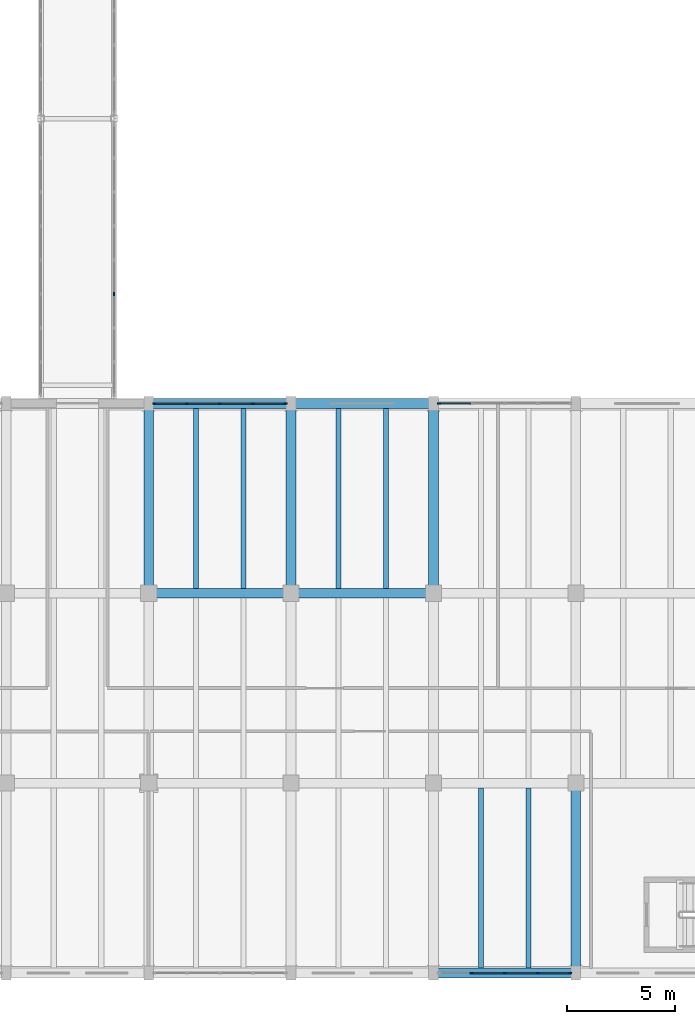
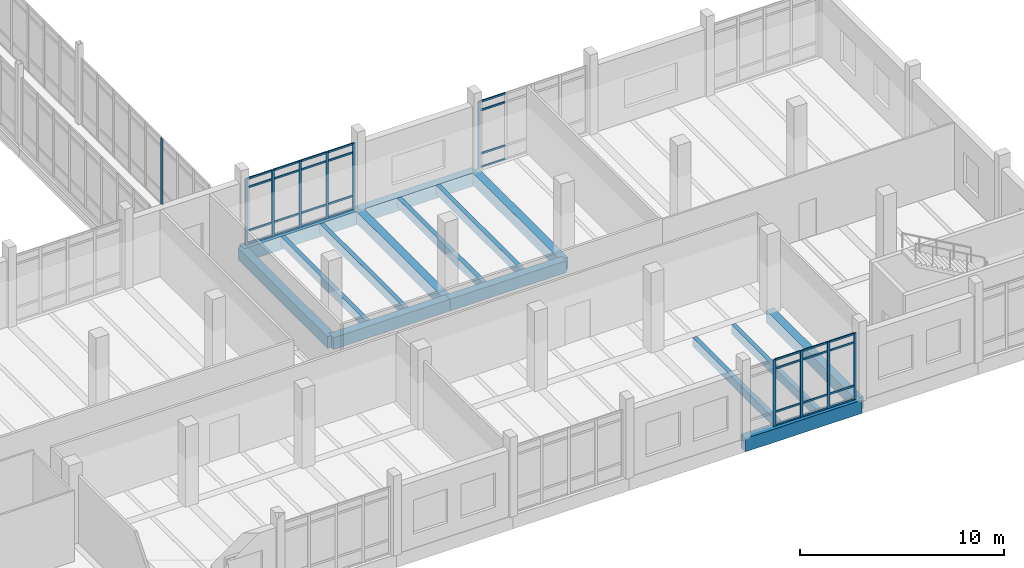
# One storey, part 49 of 125: 43 members, 15 beams, 4 elements without a shape of their own.
"""IFC4 building model written with IfcOpenShell, lengths in metres."""

import ifcopenshell
import ifcopenshell.guid

model = None  # the IFC model being written
_history = None  # IfcOwnerHistory: only IFC2X3 demands one
_inside = {}  # id of a spatial element -> (the spatial element, [elements in it])
_under = {}  # id of a project, library or spatial element -> (it, [spatial elements below it])
_declared = {}  # id of a project -> (the project, [libraries it declares])
_typed = {}  # id of a type object -> (the type object, [elements of that type])
_made_of = {}  # id of a material, layer set ... -> (it, [elements and type objects made of it])


def new_model(schema):
    """Start an empty IFC model of exactly this schema.

    Asked for "IFC4X3", IfcOpenShell would pick the latest addendum, in which some entities
    have other attributes; the version numbers below select the first issue.
    IFC2X3 requires an IfcOwnerHistory on every rooted entity: one is made here for all.
    """
    global model, _history
    if schema == "IFC4X3":
        model = ifcopenshell.file(schema_version=(4, 3, 0, 0))
    else:
        model = ifcopenshell.file(schema=schema)
    _inside.clear()
    _under.clear()
    _declared.clear()
    _typed.clear()
    _made_of.clear()
    _history = None
    if model.schema == "IFC2X3":
        org = make("IfcOrganization", Name="unknown")
        user = make(
            "IfcPersonAndOrganization",
            ThePerson=make("IfcPerson", FamilyName="unknown"),
            TheOrganization=org,
        )
        app = make(
            "IfcApplication",
            ApplicationDeveloper=org,
            Version="unknown",
            ApplicationFullName="unknown",
            ApplicationIdentifier="unknown",
        )
        _history = make(
            "IfcOwnerHistory",
            OwningUser=user,
            OwningApplication=app,
            ChangeAction="ADDED",
            CreationDate=0,
        )
    return model


def make(cls, **values):
    """One entity of the class cls with the attributes given. An attribute that is None is left unset."""
    return model.create_entity(
        cls, **{name: value for name, value in values.items() if value is not None}
    )


def rooted(cls, **values):
    """An entity with a GlobalId (a new one), such as an element, a storey or a relation."""
    return make(cls, GlobalId=ifcopenshell.guid.new(), OwnerHistory=_history, **values)


def si_unit(unit_type, name, prefix=None):
    """IfcSIUnit, for example si_unit("LENGTHUNIT", "METRE", prefix="MILLI")."""
    return make("IfcSIUnit", UnitType=unit_type, Prefix=prefix, Name=name)


def assignment(units):
    """IfcUnitAssignment: the units of a project."""
    return None if units is None else make("IfcUnitAssignment", Units=units)


def point(xyz):
    """IfcCartesianPoint."""
    return None if xyz is None else make("IfcCartesianPoint", Coordinates=xyz)


def direction(xyz):
    """IfcDirection."""
    return None if xyz is None else make("IfcDirection", DirectionRatios=xyz)


def frame(location, z_axis=None, x_axis=None):
    """IfcAxis2Placement3D, a coordinate frame: its origin and axes. An axis left out is left unset."""
    return make(
        "IfcAxis2Placement3D",
        Location=point(location),
        Axis=direction(z_axis),
        RefDirection=direction(x_axis),
    )


def frame_2d(location, x_axis=None):
    """IfcAxis2Placement2D, a coordinate frame in the plane: its origin and x axis."""
    return make(
        "IfcAxis2Placement2D", Location=point(location), RefDirection=direction(x_axis)
    )


def origin():
    """The frame at (0, 0, 0) with its axes left unset."""
    return frame((0.0, 0.0, 0.0))


def origin_2d():
    """The frame at (0, 0) in the plane with its x axis left unset."""
    return frame_2d((0.0, 0.0))


def place(relative_to, where):
    """IfcLocalPlacement: puts the frame where relative to a parent placement (None: the world)."""
    return make(
        "IfcLocalPlacement", PlacementRelTo=relative_to, RelativePlacement=where
    )


def context(
    kind, dimensions, precision=None, world=None, true_north=None, identifier=None
):
    """IfcGeometricRepresentationContext, for example the 3D "Model" context."""
    return make(
        "IfcGeometricRepresentationContext",
        ContextIdentifier=identifier,
        ContextType=kind,
        CoordinateSpaceDimension=dimensions,
        Precision=precision,
        WorldCoordinateSystem=world,
        TrueNorth=true_north,
    )


def subcontext(parent, identifier, kind, view, scale=None):
    """IfcGeometricRepresentationSubContext, for example "Body" below "Model"."""
    return make(
        "IfcGeometricRepresentationSubContext",
        ContextIdentifier=identifier,
        ContextType=kind,
        ParentContext=parent,
        TargetScale=scale,
        TargetView=view,
    )


def project(units=None, contexts=None):
    """IfcProject with its units and contexts."""
    return rooted(
        "IfcProject",
        Name="project",
        RepresentationContexts=contexts,
        UnitsInContext=assignment(units),
    )


def spatial(cls, under=None, at=None, **own):
    """A site, building, storey or space (cls), placed at a placement, below another one or the project."""
    s = rooted(cls, ObjectPlacement=at, **own)
    if under is not None:
        _under.setdefault(under.id(), (under, []))[1].append(s)
    return s


def profile(cls, at=None, kind="AREA", **sizes):
    """A parametric profile (cls). Its sizes go by their IFC names, for example OverallWidth=200.0."""
    return make(cls, ProfileType=kind, Position=at, **sizes)


def rectangle(**sizes):
    """IfcRectangleProfileDef."""
    return profile("IfcRectangleProfileDef", **sizes)


def extrude(swept, where, along, depth):
    """IfcExtrudedAreaSolid: the profile swept, set in the frame where, extruded along a direction by depth."""
    return make(
        "IfcExtrudedAreaSolid",
        SweptArea=swept,
        Position=where,
        ExtrudedDirection=direction(along),
        Depth=depth,
    )


def shape(context_of_items, identifier, shape_type, items):
    """IfcShapeRepresentation: the items that make up one representation, for example the "Body"."""
    return make(
        "IfcShapeRepresentation",
        ContextOfItems=context_of_items,
        RepresentationIdentifier=identifier,
        RepresentationType=shape_type,
        Items=items,
    )


def material(Name=None, Category=None):
    """IfcMaterial."""
    return make("IfcMaterial", Name=Name, Category=Category)


def material_profile(
    of_material, cross_section, Name=None, Category=None, Priority=None
):
    """IfcMaterialProfile: a cross section and its material."""
    return make(
        "IfcMaterialProfile",
        Name=Name,
        Material=of_material,
        Profile=cross_section,
        Priority=Priority,
        Category=Category,
    )


def profile_set(profiles, Name=None, composite=None):
    """IfcMaterialProfileSet."""
    return make(
        "IfcMaterialProfileSet",
        Name=Name,
        MaterialProfiles=profiles,
        CompositeProfile=composite,
    )


def made_of(thing, what):
    """Note that an element or type object is made of a material, layer set ...; save() writes the relation."""
    if what is not None:
        _made_of.setdefault(what.id(), (what, []))[1].append(thing)
    return thing


def type_object(cls, material=None, **own):
    """A type object (cls), such as IfcWallType, which elements share."""
    return made_of(rooted(cls, **own), material)


def element(
    cls,
    number,
    at=None,
    inside=None,
    cuts=None,
    type_object=None,
    material=None,
    context=None,
    identifier="Body",
    shape_type=None,
    held_by="IfcProductDefinitionShape",
    body=None,
    shapes=None,
    **own,
):
    """One element of the class cls, such as IfcWall. Its Tag is "e" and its number.

    at: its placement. inside: the storey or other place that contains it. cuts: it is an
    opening in that element (IfcRelVoidsElement). A single representation is given by context,
    identifier, shape_type and body (its items); several are given by shapes. held_by: the class
    of the entity that holds the representations. save() writes the other relations.
    """
    e = rooted(cls, Tag="e%d" % number, ObjectPlacement=at, **own)
    if body is not None:
        shapes = [shape(context, identifier, shape_type, body)]
    if shapes is not None:
        e.Representation = make(held_by, Representations=shapes)
    if inside is not None:
        _inside.setdefault(inside.id(), (inside, []))[1].append(e)
    if cuts is not None:
        rooted(
            "IfcRelVoidsElement", RelatingBuildingElement=cuts, RelatedOpeningElement=e
        )
    if type_object is not None:
        _typed.setdefault(type_object.id(), (type_object, []))[1].append(e)
    return made_of(e, material)


def aggregate(whole, parts):
    """IfcRelAggregates: a whole, such as a stair, and the parts it consists of."""
    return rooted("IfcRelAggregates", RelatingObject=whole, RelatedObjects=parts)


def save(model, path):
    """Write the relations noted so far, then the file.

    IfcRelAggregates (storeys below a building ...), IfcRelContainedInSpatialStructure (elements
    in a storey), IfcRelDefinesByType, IfcRelAssociatesMaterial and IfcRelDeclares: one each for
    every whole, place, type object, material and project.
    """
    for whole, parts in _under.values():
        aggregate(whole, parts)
    for where, things in _inside.values():
        rooted(
            "IfcRelContainedInSpatialStructure",
            RelatedElements=things,
            RelatingStructure=where,
        )
    for kind, things in _typed.values():
        rooted("IfcRelDefinesByType", RelatedObjects=things, RelatingType=kind)
    for what, things in _made_of.values():
        rooted("IfcRelAssociatesMaterial", RelatedObjects=things, RelatingMaterial=what)
    for by, libraries in _declared.values():
        rooted("IfcRelDeclares", RelatingContext=by, RelatedDefinitions=libraries)
    model.write(path)


model = new_model("IFC4")

# Units and contexts
model_context = context("Model", 3, precision=1e-05, world=origin(), true_north=direction((0.0, 1.0)))
body_context = subcontext(model_context, "Body", "Model", "MODEL_VIEW")
ifc_project = project(units=[si_unit("LENGTHUNIT", "METRE"), si_unit("AREAUNIT", "SQUARE_METRE"), si_unit("VOLUMEUNIT", "CUBIC_METRE"), si_unit("PLANEANGLEUNIT", "RADIAN"), si_unit("MASSUNIT", "GRAM", prefix="KILO")], contexts=[model_context])

# Site, building, storey
site_placement = place(None, origin())
site = spatial("IfcSite", under=ifc_project, at=site_placement, CompositionType="ELEMENT")
building_placement = place(site_placement, origin())
building = spatial("IfcBuilding", under=site, at=building_placement, Name="Dornvale Research Institute", CompositionType="ELEMENT")
storey_placement = place(building_placement, frame((0.0, 0.0, 5.39990234375)))
storey = spatial("IfcBuildingStorey", under=building, at=storey_placement, Name="L01", CompositionType="ELEMENT", Elevation=5.39990234375)

# Beams
ifc_material_1 = material(Name="Concrete f'c 45 MPa (C35/45)", Category="concrete")
ifc_material_profile_1 = material_profile(ifc_material_1, rectangle(XDim=0.449951171875, YDim=0.715087890625, at=origin_2d()), Name="RC 450x715")
ifc_profile_set_1 = profile_set([ifc_material_profile_1], Name="Concrete f'c 45 MPa (C35/45)")
beam_type_1 = type_object("IfcBeamType", Name="Beam_RC450x715_Lab", PredefinedType="BEAM", material=ifc_profile_set_1)
beam_1_placement = place(storey_placement, frame((145.199951171875, 17.60009765625, -0.357421875), z_axis=(1.0, 0.0, 0.0), x_axis=(0.0, 1.0, 0.0)))
element("IfcBeam", 1, at=beam_1_placement, inside=storey, type_object=beam_type_1, Name="L01 primary girder #448", PredefinedType="BEAM", context=body_context, shape_type="SweptSolid", body=[
    extrude(rectangle(XDim=0.449951171875, YDim=0.715087890625, at=origin_2d()), origin(), (0.0, 0.0, 1.0), 6.60009765625),
])
beam_2_placement = place(storey_placement, frame((151.800048828125, 17.60009765625, -0.357421875), z_axis=(1.0, 0.0, 0.0), x_axis=(0.0, 1.0, 0.0)))
element("IfcBeam", 2, at=beam_2_placement, inside=storey, type_object=beam_type_1, Name="L01 primary girder #449", PredefinedType="BEAM", context=body_context, shape_type="SweptSolid", body=[
    extrude(rectangle(XDim=0.449951171875, YDim=0.715087890625, at=origin_2d()), origin(), (0.0, 0.0, 1.0), 6.599853515625),
])
for number, where, z_axis, x_axis, name in (
    (3, (145.199951171875, 17.60009765625, -0.357421875), (0.0, 1.0, 0.0), (-1.0, 0.0, 0.0), "L01 transverse girder #487"),
    (4, (151.800048828125, 17.60009765625, -0.357421875), (0.0, 1.0, 0.0), (-1.0, 0.0, 0.0), "L01 transverse girder #490"),
    (5, (158.39990234375, 17.60009765625, -0.357421875), (0.0, 1.0, 0.0), (-1.0, 0.0, 0.0), "L01 transverse girder #493"),
):
    element("IfcBeam", number, at=place(storey_placement, frame(where, z_axis=z_axis, x_axis=x_axis)), inside=storey, type_object=beam_type_1, Name=name, PredefinedType="BEAM", context=body_context, shape_type="SweptSolid", body=[
        extrude(rectangle(XDim=0.449951171875, YDim=0.715087890625, at=origin_2d()), origin(), (0.0, 0.0, 1.0), 8.7998046875),
    ])
beam_3_placement = place(storey_placement, frame((165.0, 0.0, -0.357421875), z_axis=(0.0, 1.0, 0.0), x_axis=(-1.0, 0.0, 0.0)))
element("IfcBeam", 6, at=beam_3_placement, inside=storey, type_object=beam_type_1, Name="L01 transverse girder #494", PredefinedType="BEAM", context=body_context, shape_type="SweptSolid", body=[
    extrude(rectangle(XDim=0.449951171875, YDim=0.715087890625, at=origin_2d()), origin(), (0.0, 0.0, 1.0), 8.800048828125),
])
ifc_material_2 = material(Name="Concrete f'c 45 MPa (C35/45)", Category="concrete")
ifc_material_profile_2 = material_profile(ifc_material_2, rectangle(XDim=0.239990234375, YDim=0.534912109375, at=origin_2d()), Name="RC 240x535")
ifc_profile_set_2 = profile_set([ifc_material_profile_2], Name="Concrete f'c 45 MPa (C35/45)")
beam_type_2 = type_object("IfcBeamType", Name="Joist_RC240x535_Waffle", PredefinedType="JOIST", material=ifc_profile_set_2)
for number, where, z_axis, x_axis, name in (
    (7, (147.39990234375, 17.824951171875, -0.267333984375), (0.0, 1.0, 0.0), (-1.0, 0.0, 0.0), "L01 laboratory waffle joist #255"),
    (8, (149.60009765625, 17.824951171875, -0.267333984375), (0.0, 1.0, 0.0), (-1.0, 0.0, 0.0), "L01 laboratory waffle joist #256"),
    (9, (154.0, 17.824951171875, -0.267333984375), (0.0, 1.0, 0.0), (-1.0, 0.0, 0.0), "L01 laboratory waffle joist #261"),
    (10, (156.199951171875, 17.824951171875, -0.267333984375), (0.0, 1.0, 0.0), (-1.0, 0.0, 0.0), "L01 laboratory waffle joist #262"),
):
    element("IfcBeam", number, at=place(storey_placement, frame(where, z_axis=z_axis, x_axis=x_axis)), inside=storey, type_object=beam_type_2, Name=name, PredefinedType="JOIST", context=body_context, shape_type="SweptSolid", body=[
        extrude(rectangle(XDim=0.239990234375, YDim=0.534912109375, at=origin_2d()), origin(), (0.0, 0.0, 1.0), 8.35009765625),
    ])
for number, where, z_axis, x_axis, name in (
    (11, (160.60009765625, 0.22509765625, -0.267333984375), (0.0, 1.0, 0.0), (-1.0, 0.0, 0.0), "L01 laboratory waffle joist #263"),
    (12, (162.800048828125, 0.22509765625, -0.267333984375), (0.0, 1.0, 0.0), (-1.0, 0.0, 0.0), "L01 laboratory waffle joist #264"),
):
    element("IfcBeam", number, at=place(storey_placement, frame(where, z_axis=z_axis, x_axis=x_axis)), inside=storey, type_object=beam_type_2, Name=name, PredefinedType="JOIST", context=body_context, shape_type="SweptSolid", body=[
        extrude(rectangle(XDim=0.239990234375, YDim=0.534912109375, at=origin_2d()), origin(), (0.0, 0.0, 1.0), 8.349853515625),
    ])

# Curtain wall, member
ifc_material_3 = material(Name="Low-E Argon Double Insulating Glazing Unit", Category="glass")
curtain_wall_type_1 = type_object("IfcCurtainWallType", Name="UnitisedCurtainWall_V2_12600x4000", PredefinedType="USERDEFINED", material=ifc_material_3)
curtain_wall_1_placement = place(storey_placement, origin())
curtain_wall_1 = element("IfcCurtainWall", 13, at=curtain_wall_1_placement, inside=storey, type_object=curtain_wall_type_1, Name="L01 V2 unitised curtain wall CW-41 #232", ObjectType="UNITISED CURTAIN WALL", PredefinedType="USERDEFINED")
ifc_material_4 = material(Name="Anodized Aluminum AA 6063-T6 Thermally Broken Frame", Category="aluminium")
ifc_material_profile_3 = material_profile(ifc_material_4, rectangle(XDim=0.06494140625, YDim=0.1650390625, at=origin_2d()), Name="ALU MULLION 65x165")
ifc_profile_set_3 = profile_set([ifc_material_profile_3], Name="Anodized Aluminum AA 6063-T6 Thermally Broken Frame")
member_type_1 = type_object("IfcMemberType", Name="Mullion_Atrium_65x165", PredefinedType="MULLION", material=ifc_profile_set_3)
member_1_placement = place(storey_placement, frame((143.60009765625, 31.47509765625, 0.0), z_axis=(0.0, 0.0, 1.0), x_axis=(1.0, 0.0, 0.0)))
member_1 = element("IfcMember", 14, at=member_1_placement, type_object=member_type_1, Name="CW-41 mullion 6", PredefinedType="MULLION", context=body_context, shape_type="SweptSolid", body=[
    extrude(rectangle(XDim=0.06494140625, YDim=0.1650390625, at=origin_2d()), origin(), (0.0, 0.0, 1.0), 4.0),
])
aggregate(curtain_wall_1, [member_1])

# Curtain wall, members
ifc_material_5 = material(Name="Low-E Argon Double Insulating Glazing Unit", Category="glass")
curtain_wall_type_2 = type_object("IfcCurtainWallType", Name="UnitisedCurtainWall_V3_6150x4000", PredefinedType="USERDEFINED", material=ifc_material_5)
curtain_wall_2_placement = place(storey_placement, origin())
curtain_wall_2 = element("IfcCurtainWall", 15, at=curtain_wall_2_placement, inside=storey, type_object=curtain_wall_type_2, Name="L01 V3 unitised curtain wall CW-06 #33", ObjectType="UNITISED CURTAIN WALL", PredefinedType="USERDEFINED")
ifc_material_6 = material(Name="Anodized Aluminum AA 6063-T6 Thermally Broken Frame", Category="aluminium")
ifc_material_profile_4 = material_profile(ifc_material_6, rectangle(XDim=0.06494140625, YDim=0.14990234375, at=origin_2d()), Name="ALU MULLION 65x150")
ifc_profile_set_4 = profile_set([ifc_material_profile_4], Name="Anodized Aluminum AA 6063-T6 Thermally Broken Frame")
member_type_2 = type_object("IfcMemberType", Name="Mullion_CW_65x150", PredefinedType="MULLION", material=ifc_profile_set_4)
member_2_placement = place(storey_placement, frame((145.45751953125, 26.39990234375, 0.0), z_axis=(0.0, 0.0, 1.0), x_axis=(0.0, 1.0, 0.0)))
member_2 = element("IfcMember", 16, at=member_2_placement, type_object=member_type_2, Name="CW-06 mullion 1", PredefinedType="MULLION", context=body_context, shape_type="SweptSolid", body=[
    extrude(rectangle(XDim=0.06494140625, YDim=0.14990234375, at=origin_2d()), origin(), (0.0, 0.0, 1.0), 4.0),
])
member_3_placement = place(storey_placement, frame((146.96240234375, 26.39990234375, 0.0), z_axis=(0.0, 0.0, 1.0), x_axis=(0.0, 1.0, 0.0)))
member_3 = element("IfcMember", 17, at=member_3_placement, type_object=member_type_2, Name="CW-06 mullion 2", PredefinedType="MULLION", context=body_context, shape_type="SweptSolid", body=[
    extrude(rectangle(XDim=0.06494140625, YDim=0.14990234375, at=origin_2d()), origin(), (0.0, 0.0, 1.0), 4.0),
])
member_4_placement = place(storey_placement, frame((148.5, 26.39990234375, 0.0), z_axis=(0.0, 0.0, 1.0), x_axis=(0.0, 1.0, 0.0)))
member_4 = element("IfcMember", 18, at=member_4_placement, type_object=member_type_2, Name="CW-06 mullion 3", PredefinedType="MULLION", context=body_context, shape_type="SweptSolid", body=[
    extrude(rectangle(XDim=0.06494140625, YDim=0.14990234375, at=origin_2d()), origin(), (0.0, 0.0, 1.0), 4.0),
])
member_5_placement = place(storey_placement, frame((150.03759765625, 26.39990234375, 0.0), z_axis=(0.0, 0.0, 1.0), x_axis=(0.0, 1.0, 0.0)))
member_5 = element("IfcMember", 19, at=member_5_placement, type_object=member_type_2, Name="CW-06 mullion 4", PredefinedType="MULLION", context=body_context, shape_type="SweptSolid", body=[
    extrude(rectangle(XDim=0.06494140625, YDim=0.14990234375, at=origin_2d()), origin(), (0.0, 0.0, 1.0), 4.0),
])
member_6_placement = place(storey_placement, frame((151.54248046875, 26.39990234375, 0.0), z_axis=(0.0, 0.0, 1.0), x_axis=(0.0, 1.0, 0.0)))
member_6 = element("IfcMember", 20, at=member_6_placement, type_object=member_type_2, Name="CW-06 mullion 5", PredefinedType="MULLION", context=body_context, shape_type="SweptSolid", body=[
    extrude(rectangle(XDim=0.06494140625, YDim=0.14990234375, at=origin_2d()), origin(), (0.0, 0.0, 1.0), 4.0),
])

# Curtain wall, member
curtain_wall_3_placement = place(storey_placement, origin())
curtain_wall_3 = element("IfcCurtainWall", 21, at=curtain_wall_3_placement, inside=storey, type_object=curtain_wall_type_2, Name="L01 V3 unitised curtain wall CW-06 #34", ObjectType="UNITISED CURTAIN WALL", PredefinedType="USERDEFINED")
member_7_placement = place(storey_placement, frame((158.657470703125, 26.39990234375, 0.0), z_axis=(0.0, 0.0, 1.0), x_axis=(0.0, 1.0, 0.0)))
member_7 = element("IfcMember", 22, at=member_7_placement, type_object=member_type_2, Name="CW-06 mullion 1", PredefinedType="MULLION", context=body_context, shape_type="SweptSolid", body=[
    extrude(rectangle(XDim=0.06494140625, YDim=0.14990234375, at=origin_2d()), origin(), (0.0, 0.0, 1.0), 4.0),
])

# Curtain wall, members
curtain_wall_4_placement = place(storey_placement, origin())
curtain_wall_4 = element("IfcCurtainWall", 23, at=curtain_wall_4_placement, inside=storey, type_object=curtain_wall_type_2, Name="L01 V3 unitised curtain wall CW-06 #37", ObjectType="UNITISED CURTAIN WALL", PredefinedType="USERDEFINED")
member_8_placement = place(storey_placement, frame((164.742431640625, 0.0, 0.0), z_axis=(0.0, 0.0, 1.0), x_axis=(0.0, -1.0, 0.0)))
member_8 = element("IfcMember", 24, at=member_8_placement, type_object=member_type_2, Name="CW-06 mullion 1", PredefinedType="MULLION", context=body_context, shape_type="SweptSolid", body=[
    extrude(rectangle(XDim=0.06494140625, YDim=0.14990234375, at=origin_2d()), origin(), (0.0, 0.0, 1.0), 4.0),
])
member_9_placement = place(storey_placement, frame((163.237548828125, 0.0, 0.0), z_axis=(0.0, 0.0, 1.0), x_axis=(0.0, -1.0, 0.0)))
member_9 = element("IfcMember", 25, at=member_9_placement, type_object=member_type_2, Name="CW-06 mullion 2", PredefinedType="MULLION", context=body_context, shape_type="SweptSolid", body=[
    extrude(rectangle(XDim=0.06494140625, YDim=0.14990234375, at=origin_2d()), origin(), (0.0, 0.0, 1.0), 4.0),
])
member_10_placement = place(storey_placement, frame((161.699951171875, 0.0, 0.0), z_axis=(0.0, 0.0, 1.0), x_axis=(0.0, -1.0, 0.0)))
member_10 = element("IfcMember", 26, at=member_10_placement, type_object=member_type_2, Name="CW-06 mullion 3", PredefinedType="MULLION", context=body_context, shape_type="SweptSolid", body=[
    extrude(rectangle(XDim=0.06494140625, YDim=0.14990234375, at=origin_2d()), origin(), (0.0, 0.0, 1.0), 4.0),
])
member_11_placement = place(storey_placement, frame((160.16259765625, 0.0, 0.0), z_axis=(0.0, 0.0, 1.0), x_axis=(0.0, -1.0, 0.0)))
member_11 = element("IfcMember", 27, at=member_11_placement, type_object=member_type_2, Name="CW-06 mullion 4", PredefinedType="MULLION", context=body_context, shape_type="SweptSolid", body=[
    extrude(rectangle(XDim=0.06494140625, YDim=0.14990234375, at=origin_2d()), origin(), (0.0, 0.0, 1.0), 4.0),
])

# Beams
ifc_material_7 = material(Name="Concrete f'c 45 MPa (C35/45)", Category="concrete")
ifc_material_profile_5 = material_profile(ifc_material_7, rectangle(XDim=0.449951171875, YDim=0.800048828125, at=origin_2d()), Name="RC 450x800")
ifc_profile_set_5 = profile_set([ifc_material_profile_5], Name="Concrete f'c 45 MPa (C35/45)")
beam_type_3 = type_object("IfcBeamType", Name="Spandrel_RC450x800_Ext", PredefinedType="SPANDREL", material=ifc_profile_set_5)
for number, where, z_axis, x_axis, name in (
    (28, (158.39990234375, 0.0, -0.39990234375), (1.0, 0.0, 0.0), (0.0, 1.0, 0.0), "L01 perimeter spandrel #426"),
    (29, (145.199951171875, 26.39990234375, -0.39990234375), (1.0, 0.0, 0.0), (0.0, 1.0, 0.0), "L01 perimeter spandrel #460"),
):
    element("IfcBeam", number, at=place(storey_placement, frame(where, z_axis=z_axis, x_axis=x_axis)), inside=storey, type_object=beam_type_3, Name=name, PredefinedType="SPANDREL", context=body_context, shape_type="SweptSolid", body=[
        extrude(rectangle(XDim=0.449951171875, YDim=0.800048828125, at=origin_2d()), origin(), (0.0, 0.0, 1.0), 6.60009765625),
    ])
beam_4_placement = place(storey_placement, frame((151.800048828125, 26.39990234375, -0.39990234375), z_axis=(1.0, 0.0, 0.0), x_axis=(0.0, 1.0, 0.0)))
element("IfcBeam", 30, at=beam_4_placement, inside=storey, type_object=beam_type_3, Name="L01 perimeter spandrel #461", PredefinedType="SPANDREL", context=body_context, shape_type="SweptSolid", body=[
    extrude(rectangle(XDim=0.449951171875, YDim=0.800048828125, at=origin_2d()), origin(), (0.0, 0.0, 1.0), 6.599853515625),
])

# Member
ifc_material_8 = material(Name="Anodized Aluminum AA 6063-T6 Thermally Broken Frame", Category="aluminium")
ifc_material_profile_6 = material_profile(ifc_material_8, rectangle(XDim=0.06494140625, YDim=0.110107421875, at=origin_2d()), Name="ALU TRANSOM 65x110")
ifc_profile_set_6 = profile_set([ifc_material_profile_6], Name="Anodized Aluminum AA 6063-T6 Thermally Broken Frame")
member_type_3 = type_object("IfcMemberType", Name="Transom_CW_65x110", PredefinedType="USERDEFINED", material=ifc_profile_set_6)
member_12_placement = place(storey_placement, frame((145.489990234375, 26.39990234375, 0.03271484375), z_axis=(1.0, 0.0, 0.0), x_axis=(0.0, 1.0, 0.0)))
member_12 = element("IfcMember", 31, at=member_12_placement, type_object=member_type_3, Name="CW-06 transom 1.1", ObjectType="TRANSOM", PredefinedType="USERDEFINED", context=body_context, shape_type="SweptSolid", body=[
    extrude(rectangle(XDim=0.06494140625, YDim=0.110107421875, at=origin_2d()), origin(), (0.0, 0.0, 1.0), 1.43994140625),
])

member_13_placement = place(storey_placement, frame((145.489990234375, 26.39990234375, 0.85009765625), z_axis=(1.0, 0.0, 0.0), x_axis=(0.0, 1.0, 0.0)))
member_13 = element("IfcMember", 32, at=member_13_placement, type_object=member_type_3, Name="CW-06 transom 1.2", ObjectType="TRANSOM", PredefinedType="USERDEFINED", context=body_context, shape_type="SweptSolid", body=[
    extrude(rectangle(XDim=0.06494140625, YDim=0.110107421875, at=origin_2d()), origin(), (0.0, 0.0, 1.0), 1.43994140625),
])

member_14_placement = place(storey_placement, frame((145.489990234375, 26.39990234375, 3.4501953125), z_axis=(1.0, 0.0, 0.0), x_axis=(0.0, 1.0, 0.0)))
member_14 = element("IfcMember", 33, at=member_14_placement, type_object=member_type_3, Name="CW-06 transom 1.3", ObjectType="TRANSOM", PredefinedType="USERDEFINED", context=body_context, shape_type="SweptSolid", body=[
    extrude(rectangle(XDim=0.06494140625, YDim=0.110107421875, at=origin_2d()), origin(), (0.0, 0.0, 1.0), 1.43994140625),
])

member_15_placement = place(storey_placement, frame((145.489990234375, 26.39990234375, 3.967529296875), z_axis=(1.0, 0.0, 0.0), x_axis=(0.0, 1.0, 0.0)))
member_15 = element("IfcMember", 34, at=member_15_placement, type_object=member_type_3, Name="CW-06 transom 1.4", ObjectType="TRANSOM", PredefinedType="USERDEFINED", context=body_context, shape_type="SweptSolid", body=[
    extrude(rectangle(XDim=0.06494140625, YDim=0.110107421875, at=origin_2d()), origin(), (0.0, 0.0, 1.0), 1.43994140625),
])

member_16_placement = place(storey_placement, frame((146.9951171875, 26.39990234375, 0.03271484375), z_axis=(1.0, 0.0, 0.0), x_axis=(0.0, 1.0, 0.0)))
member_16 = element("IfcMember", 35, at=member_16_placement, type_object=member_type_3, Name="CW-06 transom 2.1", ObjectType="TRANSOM", PredefinedType="USERDEFINED", context=body_context, shape_type="SweptSolid", body=[
    extrude(rectangle(XDim=0.06494140625, YDim=0.110107421875, at=origin_2d()), origin(), (0.0, 0.0, 1.0), 1.472412109375),
])

member_17_placement = place(storey_placement, frame((146.9951171875, 26.39990234375, 0.85009765625), z_axis=(1.0, 0.0, 0.0), x_axis=(0.0, 1.0, 0.0)))
member_17 = element("IfcMember", 36, at=member_17_placement, type_object=member_type_3, Name="CW-06 transom 2.2", ObjectType="TRANSOM", PredefinedType="USERDEFINED", context=body_context, shape_type="SweptSolid", body=[
    extrude(rectangle(XDim=0.06494140625, YDim=0.110107421875, at=origin_2d()), origin(), (0.0, 0.0, 1.0), 1.472412109375),
])

member_18_placement = place(storey_placement, frame((146.9951171875, 26.39990234375, 3.4501953125), z_axis=(1.0, 0.0, 0.0), x_axis=(0.0, 1.0, 0.0)))
member_18 = element("IfcMember", 37, at=member_18_placement, type_object=member_type_3, Name="CW-06 transom 2.3", ObjectType="TRANSOM", PredefinedType="USERDEFINED", context=body_context, shape_type="SweptSolid", body=[
    extrude(rectangle(XDim=0.06494140625, YDim=0.110107421875, at=origin_2d()), origin(), (0.0, 0.0, 1.0), 1.472412109375),
])

member_19_placement = place(storey_placement, frame((146.9951171875, 26.39990234375, 3.967529296875), z_axis=(1.0, 0.0, 0.0), x_axis=(0.0, 1.0, 0.0)))
member_19 = element("IfcMember", 38, at=member_19_placement, type_object=member_type_3, Name="CW-06 transom 2.4", ObjectType="TRANSOM", PredefinedType="USERDEFINED", context=body_context, shape_type="SweptSolid", body=[
    extrude(rectangle(XDim=0.06494140625, YDim=0.110107421875, at=origin_2d()), origin(), (0.0, 0.0, 1.0), 1.472412109375),
])

member_20_placement = place(storey_placement, frame((148.532470703125, 26.39990234375, 0.03271484375), z_axis=(1.0, 0.0, 0.0), x_axis=(0.0, 1.0, 0.0)))
member_20 = element("IfcMember", 39, at=member_20_placement, type_object=member_type_3, Name="CW-06 transom 3.1", ObjectType="TRANSOM", PredefinedType="USERDEFINED", context=body_context, shape_type="SweptSolid", body=[
    extrude(rectangle(XDim=0.06494140625, YDim=0.110107421875, at=origin_2d()), origin(), (0.0, 0.0, 1.0), 1.472412109375),
])

member_21_placement = place(storey_placement, frame((148.532470703125, 26.39990234375, 0.85009765625), z_axis=(1.0, 0.0, 0.0), x_axis=(0.0, 1.0, 0.0)))
member_21 = element("IfcMember", 40, at=member_21_placement, type_object=member_type_3, Name="CW-06 transom 3.2", ObjectType="TRANSOM", PredefinedType="USERDEFINED", context=body_context, shape_type="SweptSolid", body=[
    extrude(rectangle(XDim=0.06494140625, YDim=0.110107421875, at=origin_2d()), origin(), (0.0, 0.0, 1.0), 1.472412109375),
])

member_22_placement = place(storey_placement, frame((148.532470703125, 26.39990234375, 3.4501953125), z_axis=(1.0, 0.0, 0.0), x_axis=(0.0, 1.0, 0.0)))
member_22 = element("IfcMember", 41, at=member_22_placement, type_object=member_type_3, Name="CW-06 transom 3.3", ObjectType="TRANSOM", PredefinedType="USERDEFINED", context=body_context, shape_type="SweptSolid", body=[
    extrude(rectangle(XDim=0.06494140625, YDim=0.110107421875, at=origin_2d()), origin(), (0.0, 0.0, 1.0), 1.472412109375),
])

member_23_placement = place(storey_placement, frame((148.532470703125, 26.39990234375, 3.967529296875), z_axis=(1.0, 0.0, 0.0), x_axis=(0.0, 1.0, 0.0)))
member_23 = element("IfcMember", 42, at=member_23_placement, type_object=member_type_3, Name="CW-06 transom 3.4", ObjectType="TRANSOM", PredefinedType="USERDEFINED", context=body_context, shape_type="SweptSolid", body=[
    extrude(rectangle(XDim=0.06494140625, YDim=0.110107421875, at=origin_2d()), origin(), (0.0, 0.0, 1.0), 1.472412109375),
])

member_24_placement = place(storey_placement, frame((150.070068359375, 26.39990234375, 0.03271484375), z_axis=(1.0, 0.0, 0.0), x_axis=(0.0, 1.0, 0.0)))
member_24 = element("IfcMember", 43, at=member_24_placement, type_object=member_type_3, Name="CW-06 transom 4.1", ObjectType="TRANSOM", PredefinedType="USERDEFINED", context=body_context, shape_type="SweptSolid", body=[
    extrude(rectangle(XDim=0.06494140625, YDim=0.110107421875, at=origin_2d()), origin(), (0.0, 0.0, 1.0), 1.43994140625),
])

member_25_placement = place(storey_placement, frame((150.070068359375, 26.39990234375, 0.85009765625), z_axis=(1.0, 0.0, 0.0), x_axis=(0.0, 1.0, 0.0)))
member_25 = element("IfcMember", 44, at=member_25_placement, type_object=member_type_3, Name="CW-06 transom 4.2", ObjectType="TRANSOM", PredefinedType="USERDEFINED", context=body_context, shape_type="SweptSolid", body=[
    extrude(rectangle(XDim=0.06494140625, YDim=0.110107421875, at=origin_2d()), origin(), (0.0, 0.0, 1.0), 1.43994140625),
])

member_26_placement = place(storey_placement, frame((150.070068359375, 26.39990234375, 3.4501953125), z_axis=(1.0, 0.0, 0.0), x_axis=(0.0, 1.0, 0.0)))
member_26 = element("IfcMember", 45, at=member_26_placement, type_object=member_type_3, Name="CW-06 transom 4.3", ObjectType="TRANSOM", PredefinedType="USERDEFINED", context=body_context, shape_type="SweptSolid", body=[
    extrude(rectangle(XDim=0.06494140625, YDim=0.110107421875, at=origin_2d()), origin(), (0.0, 0.0, 1.0), 1.43994140625),
])

member_27_placement = place(storey_placement, frame((150.070068359375, 26.39990234375, 3.967529296875), z_axis=(1.0, 0.0, 0.0), x_axis=(0.0, 1.0, 0.0)))
member_27 = element("IfcMember", 46, at=member_27_placement, type_object=member_type_3, Name="CW-06 transom 4.4", ObjectType="TRANSOM", PredefinedType="USERDEFINED", context=body_context, shape_type="SweptSolid", body=[
    extrude(rectangle(XDim=0.06494140625, YDim=0.110107421875, at=origin_2d()), origin(), (0.0, 0.0, 1.0), 1.43994140625),
])

aggregate(curtain_wall_2, [member_2, member_3, member_4, member_5, member_6, member_12, member_13, member_14, member_15, member_16, member_17, member_18, member_19, member_20, member_21, member_22, member_23, member_24, member_25, member_26, member_27])

member_28_placement = place(storey_placement, frame((158.68994140625, 26.39990234375, 0.03271484375), z_axis=(1.0, 0.0, 0.0), x_axis=(0.0, 1.0, 0.0)))
member_28 = element("IfcMember", 47, at=member_28_placement, type_object=member_type_3, Name="CW-06 transom 1.1", ObjectType="TRANSOM", PredefinedType="USERDEFINED", context=body_context, shape_type="SweptSolid", body=[
    extrude(rectangle(XDim=0.06494140625, YDim=0.110107421875, at=origin_2d()), origin(), (0.0, 0.0, 1.0), 1.43994140625),
])

member_29_placement = place(storey_placement, frame((158.68994140625, 26.39990234375, 0.85009765625), z_axis=(1.0, 0.0, 0.0), x_axis=(0.0, 1.0, 0.0)))
member_29 = element("IfcMember", 48, at=member_29_placement, type_object=member_type_3, Name="CW-06 transom 1.2", ObjectType="TRANSOM", PredefinedType="USERDEFINED", context=body_context, shape_type="SweptSolid", body=[
    extrude(rectangle(XDim=0.06494140625, YDim=0.110107421875, at=origin_2d()), origin(), (0.0, 0.0, 1.0), 1.43994140625),
])

member_30_placement = place(storey_placement, frame((158.68994140625, 26.39990234375, 3.4501953125), z_axis=(1.0, 0.0, 0.0), x_axis=(0.0, 1.0, 0.0)))
member_30 = element("IfcMember", 49, at=member_30_placement, type_object=member_type_3, Name="CW-06 transom 1.3", ObjectType="TRANSOM", PredefinedType="USERDEFINED", context=body_context, shape_type="SweptSolid", body=[
    extrude(rectangle(XDim=0.06494140625, YDim=0.110107421875, at=origin_2d()), origin(), (0.0, 0.0, 1.0), 1.43994140625),
])

member_31_placement = place(storey_placement, frame((158.68994140625, 26.39990234375, 3.967529296875), z_axis=(1.0, 0.0, 0.0), x_axis=(0.0, 1.0, 0.0)))
member_31 = element("IfcMember", 50, at=member_31_placement, type_object=member_type_3, Name="CW-06 transom 1.4", ObjectType="TRANSOM", PredefinedType="USERDEFINED", context=body_context, shape_type="SweptSolid", body=[
    extrude(rectangle(XDim=0.06494140625, YDim=0.110107421875, at=origin_2d()), origin(), (0.0, 0.0, 1.0), 1.43994140625),
])

aggregate(curtain_wall_3, [member_7, member_28, member_29, member_30, member_31])

member_32_placement = place(storey_placement, frame((164.7099609375, 0.0, 0.03271484375), z_axis=(-1.0, 0.0, 0.0), x_axis=(0.0, -1.0, 0.0)))
member_32 = element("IfcMember", 51, at=member_32_placement, type_object=member_type_3, Name="CW-06 transom 1.1", ObjectType="TRANSOM", PredefinedType="USERDEFINED", context=body_context, shape_type="SweptSolid", body=[
    extrude(rectangle(XDim=0.06494140625, YDim=0.110107421875, at=origin_2d()), origin(), (0.0, 0.0, 1.0), 1.43994140625),
])

member_33_placement = place(storey_placement, frame((164.7099609375, 0.0, 0.85009765625), z_axis=(-1.0, 0.0, 0.0), x_axis=(0.0, -1.0, 0.0)))
member_33 = element("IfcMember", 52, at=member_33_placement, type_object=member_type_3, Name="CW-06 transom 1.2", ObjectType="TRANSOM", PredefinedType="USERDEFINED", context=body_context, shape_type="SweptSolid", body=[
    extrude(rectangle(XDim=0.06494140625, YDim=0.110107421875, at=origin_2d()), origin(), (0.0, 0.0, 1.0), 1.43994140625),
])

member_34_placement = place(storey_placement, frame((164.7099609375, 0.0, 3.4501953125), z_axis=(-1.0, 0.0, 0.0), x_axis=(0.0, -1.0, 0.0)))
member_34 = element("IfcMember", 53, at=member_34_placement, type_object=member_type_3, Name="CW-06 transom 1.3", ObjectType="TRANSOM", PredefinedType="USERDEFINED", context=body_context, shape_type="SweptSolid", body=[
    extrude(rectangle(XDim=0.06494140625, YDim=0.110107421875, at=origin_2d()), origin(), (0.0, 0.0, 1.0), 1.43994140625),
])

member_35_placement = place(storey_placement, frame((164.7099609375, 0.0, 3.967529296875), z_axis=(-1.0, 0.0, 0.0), x_axis=(0.0, -1.0, 0.0)))
member_35 = element("IfcMember", 54, at=member_35_placement, type_object=member_type_3, Name="CW-06 transom 1.4", ObjectType="TRANSOM", PredefinedType="USERDEFINED", context=body_context, shape_type="SweptSolid", body=[
    extrude(rectangle(XDim=0.06494140625, YDim=0.110107421875, at=origin_2d()), origin(), (0.0, 0.0, 1.0), 1.43994140625),
])

member_36_placement = place(storey_placement, frame((163.205078125, 0.0, 0.03271484375), z_axis=(-1.0, 0.0, 0.0), x_axis=(0.0, -1.0, 0.0)))
member_36 = element("IfcMember", 55, at=member_36_placement, type_object=member_type_3, Name="CW-06 transom 2.1", ObjectType="TRANSOM", PredefinedType="USERDEFINED", context=body_context, shape_type="SweptSolid", body=[
    extrude(rectangle(XDim=0.06494140625, YDim=0.110107421875, at=origin_2d()), origin(), (0.0, 0.0, 1.0), 1.47265625),
])

member_37_placement = place(storey_placement, frame((163.205078125, 0.0, 0.85009765625), z_axis=(-1.0, 0.0, 0.0), x_axis=(0.0, -1.0, 0.0)))
member_37 = element("IfcMember", 56, at=member_37_placement, type_object=member_type_3, Name="CW-06 transom 2.2", ObjectType="TRANSOM", PredefinedType="USERDEFINED", context=body_context, shape_type="SweptSolid", body=[
    extrude(rectangle(XDim=0.06494140625, YDim=0.110107421875, at=origin_2d()), origin(), (0.0, 0.0, 1.0), 1.47265625),
])

member_38_placement = place(storey_placement, frame((163.205078125, 0.0, 3.4501953125), z_axis=(-1.0, 0.0, 0.0), x_axis=(0.0, -1.0, 0.0)))
member_38 = element("IfcMember", 57, at=member_38_placement, type_object=member_type_3, Name="CW-06 transom 2.3", ObjectType="TRANSOM", PredefinedType="USERDEFINED", context=body_context, shape_type="SweptSolid", body=[
    extrude(rectangle(XDim=0.06494140625, YDim=0.110107421875, at=origin_2d()), origin(), (0.0, 0.0, 1.0), 1.47265625),
])

member_39_placement = place(storey_placement, frame((163.205078125, 0.0, 3.967529296875), z_axis=(-1.0, 0.0, 0.0), x_axis=(0.0, -1.0, 0.0)))
member_39 = element("IfcMember", 58, at=member_39_placement, type_object=member_type_3, Name="CW-06 transom 2.4", ObjectType="TRANSOM", PredefinedType="USERDEFINED", context=body_context, shape_type="SweptSolid", body=[
    extrude(rectangle(XDim=0.06494140625, YDim=0.110107421875, at=origin_2d()), origin(), (0.0, 0.0, 1.0), 1.47265625),
])

member_40_placement = place(storey_placement, frame((161.66748046875, 0.0, 0.03271484375), z_axis=(-1.0, 0.0, 0.0), x_axis=(0.0, -1.0, 0.0)))
member_40 = element("IfcMember", 59, at=member_40_placement, type_object=member_type_3, Name="CW-06 transom 3.1", ObjectType="TRANSOM", PredefinedType="USERDEFINED", context=body_context, shape_type="SweptSolid", body=[
    extrude(rectangle(XDim=0.06494140625, YDim=0.110107421875, at=origin_2d()), origin(), (0.0, 0.0, 1.0), 1.472412109375),
])

member_41_placement = place(storey_placement, frame((161.66748046875, 0.0, 0.85009765625), z_axis=(-1.0, 0.0, 0.0), x_axis=(0.0, -1.0, 0.0)))
member_41 = element("IfcMember", 60, at=member_41_placement, type_object=member_type_3, Name="CW-06 transom 3.2", ObjectType="TRANSOM", PredefinedType="USERDEFINED", context=body_context, shape_type="SweptSolid", body=[
    extrude(rectangle(XDim=0.06494140625, YDim=0.110107421875, at=origin_2d()), origin(), (0.0, 0.0, 1.0), 1.472412109375),
])

member_42_placement = place(storey_placement, frame((161.66748046875, 0.0, 3.4501953125), z_axis=(-1.0, 0.0, 0.0), x_axis=(0.0, -1.0, 0.0)))
member_42 = element("IfcMember", 61, at=member_42_placement, type_object=member_type_3, Name="CW-06 transom 3.3", ObjectType="TRANSOM", PredefinedType="USERDEFINED", context=body_context, shape_type="SweptSolid", body=[
    extrude(rectangle(XDim=0.06494140625, YDim=0.110107421875, at=origin_2d()), origin(), (0.0, 0.0, 1.0), 1.472412109375),
])

member_43_placement = place(storey_placement, frame((161.66748046875, 0.0, 3.967529296875), z_axis=(-1.0, 0.0, 0.0), x_axis=(0.0, -1.0, 0.0)))
member_43 = element("IfcMember", 62, at=member_43_placement, type_object=member_type_3, Name="CW-06 transom 3.4", ObjectType="TRANSOM", PredefinedType="USERDEFINED", context=body_context, shape_type="SweptSolid", body=[
    extrude(rectangle(XDim=0.06494140625, YDim=0.110107421875, at=origin_2d()), origin(), (0.0, 0.0, 1.0), 1.472412109375),
])

aggregate(curtain_wall_4, [member_8, member_9, member_10, member_11, member_32, member_33, member_34, member_35, member_36, member_37, member_38, member_39, member_40, member_41, member_42, member_43])

save(model, "model.ifc")
